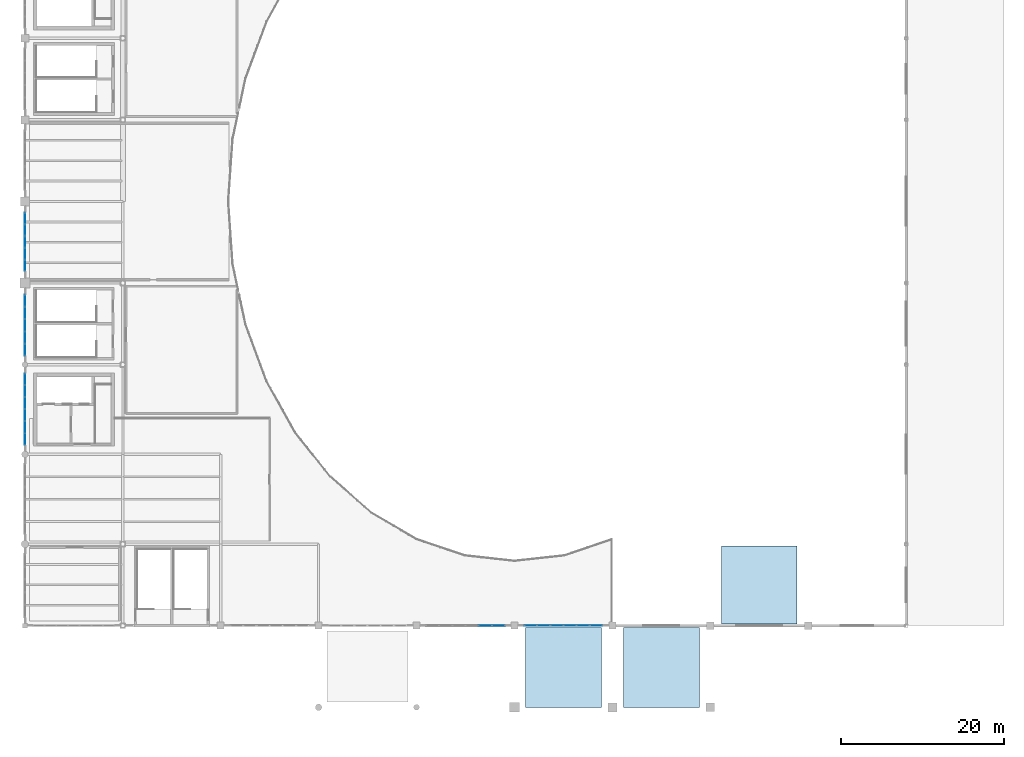
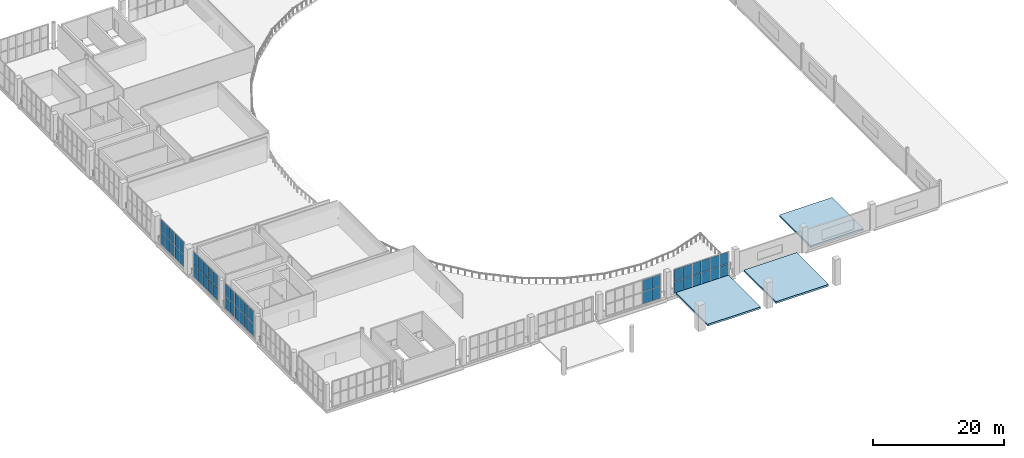
# One storey, part 31 of 49: 48 plates, 3 slabs, 5 elements without a shape of their own.
"""IFC4 building model written with IfcOpenShell, lengths in metres."""

from ifc_helpers import new_model, si_unit, direction, frame, origin, origin_2d, place, context, subcontext, project, spatial, polyline, rectangle, outline, extrude, material, layer, layer_set, type_object, element, aggregate, save


model = new_model("IFC4")

# Units and contexts
model_context = context("Model", 3, precision=1e-05, world=origin(), true_north=direction((0.0, 1.0)))
body_context = subcontext(model_context, "Body", "Model", "MODEL_VIEW")
ifc_project = project(units=[si_unit("LENGTHUNIT", "METRE"), si_unit("AREAUNIT", "SQUARE_METRE"), si_unit("VOLUMEUNIT", "CUBIC_METRE"), si_unit("PLANEANGLEUNIT", "RADIAN"), si_unit("MASSUNIT", "GRAM", prefix="KILO")], contexts=[model_context])

# Site, building, storey
site_placement = place(None, origin())
site = spatial("IfcSite", under=ifc_project, at=site_placement, CompositionType="ELEMENT")
building_placement = place(site_placement, origin())
building = spatial("IfcBuilding", under=site, at=building_placement, Name="Brinegate Civic Arena", CompositionType="ELEMENT")
storey_placement = place(building_placement, frame((0.0, 0.0, 24.60009765625)))
storey = spatial("IfcBuildingStorey", under=building, at=storey_placement, Name="L05", CompositionType="ELEMENT", Elevation=24.60009765625)

# Curtain wall, plates
ifc_material_1 = material(Name="Marine grade aluminium", Category="aluminium")
ifc_layer_1 = layer(ifc_material_1, 0.199951171875, Name="Marine grade aluminium")
ifc_layer_set_1 = layer_set([ifc_layer_1], Name="Marine grade aluminium")
curtain_wall_type = type_object("IfcCurtainWallType", Name="CW-BOWL-GLAZED-01", PredefinedType="USERDEFINED", material=ifc_layer_set_1)
curtain_wall_1_placement = place(storey_placement, origin())
curtain_wall_1 = element("IfcCurtainWall", 1, at=curtain_wall_1_placement, inside=storey, type_object=curtain_wall_type, Name="Curtain Wall CWA-156", ObjectType="GLAZED CURTAIN WALL", PredefinedType="USERDEFINED")
ifc_material_2 = material(Name="Hurricane laminated low-E glass", Category="glass")
ifc_layer_2 = layer(ifc_material_2, 0.028076171875, Name="Hurricane laminated low-E glass")
ifc_layer_set_2 = layer_set([ifc_layer_2], Name="Hurricane laminated low-E glass")
plate_type_1 = type_object("IfcPlateType", Name="CW-PANEL-GLAZED-28", PredefinedType="CURTAIN_PANEL", material=ifc_layer_set_2)
plate_1_placement = place(storey_placement, frame((48.0, 32.868896484375, 0.06494140625), z_axis=(0.0, 0.0, 1.0), x_axis=(0.0, 1.0, 0.0)))
plate_1 = element("IfcPlate", 2, at=plate_1_placement, type_object=plate_type_1, Name="CWA-156 panel 1.1", PredefinedType="CURTAIN_PANEL", context=body_context, shape_type="SweptSolid", body=[
    extrude(rectangle(XDim=1.375732421875, YDim=0.028076171875, at=origin_2d()), origin(), (0.0, 0.0, 1.0), 2.302490234375),
])
plate_2_placement = place(storey_placement, frame((48.0, 32.868896484375, 2.4326171875), z_axis=(0.0, 0.0, 1.0), x_axis=(0.0, 1.0, 0.0)))
plate_2 = element("IfcPlate", 3, at=plate_2_placement, type_object=plate_type_1, Name="CWA-156 panel 1.2", PredefinedType="CURTAIN_PANEL", context=body_context, shape_type="SweptSolid", body=[
    extrude(rectangle(XDim=1.375732421875, YDim=0.028076171875, at=origin_2d()), origin(), (0.0, 0.0, 1.0), 2.302490234375),
])
plate_3_placement = place(storey_placement, frame((48.0, 34.32568359375, 0.06494140625), z_axis=(0.0, 0.0, 1.0), x_axis=(0.0, 1.0, 0.0)))
plate_3 = element("IfcPlate", 4, at=plate_3_placement, type_object=plate_type_1, Name="CWA-156 panel 2.1", PredefinedType="CURTAIN_PANEL", context=body_context, shape_type="SweptSolid", body=[
    extrude(rectangle(XDim=1.408203125, YDim=0.028076171875, at=origin_2d()), origin(), (0.0, 0.0, 1.0), 2.302490234375),
])
plate_4_placement = place(storey_placement, frame((48.0, 34.32568359375, 2.4326171875), z_axis=(0.0, 0.0, 1.0), x_axis=(0.0, 1.0, 0.0)))
plate_4 = element("IfcPlate", 5, at=plate_4_placement, type_object=plate_type_1, Name="CWA-156 panel 2.2", PredefinedType="CURTAIN_PANEL", context=body_context, shape_type="SweptSolid", body=[
    extrude(rectangle(XDim=1.408203125, YDim=0.028076171875, at=origin_2d()), origin(), (0.0, 0.0, 1.0), 2.302490234375),
])
plate_5_placement = place(storey_placement, frame((48.0, 35.798828125, 0.06494140625), z_axis=(0.0, 0.0, 1.0), x_axis=(0.0, 1.0, 0.0)))
plate_5 = element("IfcPlate", 6, at=plate_5_placement, type_object=plate_type_1, Name="CWA-156 panel 3.1", PredefinedType="CURTAIN_PANEL", context=body_context, shape_type="SweptSolid", body=[
    extrude(rectangle(XDim=1.408203125, YDim=0.028076171875, at=origin_2d()), origin(), (0.0, 0.0, 1.0), 2.302490234375),
])
plate_6_placement = place(storey_placement, frame((48.0, 35.798828125, 2.4326171875), z_axis=(0.0, 0.0, 1.0), x_axis=(0.0, 1.0, 0.0)))
plate_6 = element("IfcPlate", 7, at=plate_6_placement, type_object=plate_type_1, Name="CWA-156 panel 3.2", PredefinedType="CURTAIN_PANEL", context=body_context, shape_type="SweptSolid", body=[
    extrude(rectangle(XDim=1.408203125, YDim=0.028076171875, at=origin_2d()), origin(), (0.0, 0.0, 1.0), 2.302490234375),
])
plate_7_placement = place(storey_placement, frame((48.0, 37.27197265625, 0.06494140625), z_axis=(0.0, 0.0, 1.0), x_axis=(0.0, 1.0, 0.0)))
plate_7 = element("IfcPlate", 8, at=plate_7_placement, type_object=plate_type_1, Name="CWA-156 panel 4.1", PredefinedType="CURTAIN_PANEL", context=body_context, shape_type="SweptSolid", body=[
    extrude(rectangle(XDim=1.408203125, YDim=0.028076171875, at=origin_2d()), origin(), (0.0, 0.0, 1.0), 2.302490234375),
])
plate_8_placement = place(storey_placement, frame((48.0, 37.27197265625, 2.4326171875), z_axis=(0.0, 0.0, 1.0), x_axis=(0.0, 1.0, 0.0)))
plate_8 = element("IfcPlate", 9, at=plate_8_placement, type_object=plate_type_1, Name="CWA-156 panel 4.2", PredefinedType="CURTAIN_PANEL", context=body_context, shape_type="SweptSolid", body=[
    extrude(rectangle(XDim=1.408203125, YDim=0.028076171875, at=origin_2d()), origin(), (0.0, 0.0, 1.0), 2.302490234375),
])
plate_9_placement = place(storey_placement, frame((48.0, 38.745361328125, 0.06494140625), z_axis=(0.0, 0.0, 1.0), x_axis=(0.0, 1.0, 0.0)))
plate_9 = element("IfcPlate", 10, at=plate_9_placement, type_object=plate_type_1, Name="CWA-156 panel 5.1", PredefinedType="CURTAIN_PANEL", context=body_context, shape_type="SweptSolid", body=[
    extrude(rectangle(XDim=1.408203125, YDim=0.028076171875, at=origin_2d()), origin(), (0.0, 0.0, 1.0), 2.302490234375),
])
plate_10_placement = place(storey_placement, frame((48.0, 38.745361328125, 2.4326171875), z_axis=(0.0, 0.0, 1.0), x_axis=(0.0, 1.0, 0.0)))
plate_10 = element("IfcPlate", 11, at=plate_10_placement, type_object=plate_type_1, Name="CWA-156 panel 5.2", PredefinedType="CURTAIN_PANEL", context=body_context, shape_type="SweptSolid", body=[
    extrude(rectangle(XDim=1.408203125, YDim=0.028076171875, at=origin_2d()), origin(), (0.0, 0.0, 1.0), 2.302490234375),
])
plate_11_placement = place(storey_placement, frame((48.0, 40.2021484375, 0.06494140625), z_axis=(0.0, 0.0, 1.0), x_axis=(0.0, 1.0, 0.0)))
plate_11 = element("IfcPlate", 12, at=plate_11_placement, type_object=plate_type_1, Name="CWA-156 panel 6.1", PredefinedType="CURTAIN_PANEL", context=body_context, shape_type="SweptSolid", body=[
    extrude(rectangle(XDim=1.375732421875, YDim=0.028076171875, at=origin_2d()), origin(), (0.0, 0.0, 1.0), 2.302490234375),
])
plate_12_placement = place(storey_placement, frame((48.0, 40.2021484375, 2.4326171875), z_axis=(0.0, 0.0, 1.0), x_axis=(0.0, 1.0, 0.0)))
plate_12 = element("IfcPlate", 13, at=plate_12_placement, type_object=plate_type_1, Name="CWA-156 panel 6.2", PredefinedType="CURTAIN_PANEL", context=body_context, shape_type="SweptSolid", body=[
    extrude(rectangle(XDim=1.375732421875, YDim=0.028076171875, at=origin_2d()), origin(), (0.0, 0.0, 1.0), 2.302490234375),
])
aggregate(curtain_wall_1, [plate_1, plate_2, plate_3, plate_4, plate_5, plate_6, plate_7, plate_8, plate_9, plate_10, plate_11, plate_12])

curtain_wall_2_placement = place(storey_placement, origin())
curtain_wall_2 = element("IfcCurtainWall", 14, at=curtain_wall_2_placement, inside=storey, type_object=curtain_wall_type, Name="Curtain Wall CWA-167", ObjectType="GLAZED CURTAIN WALL", PredefinedType="USERDEFINED")
plate_13_placement = place(storey_placement, frame((104.424560546875, 10.0, 0.06494140625), z_axis=(0.0, 0.0, 1.0), x_axis=(1.0, 0.0, 0.0)))
plate_13 = element("IfcPlate", 15, at=plate_13_placement, type_object=plate_type_1, Name="CWA-167 panel 5.1", PredefinedType="CURTAIN_PANEL", context=body_context, shape_type="SweptSolid", body=[
    extrude(rectangle(XDim=1.55126953125, YDim=0.028076171875, at=origin_2d()), origin(), (0.0, 0.0, 1.0), 2.1923828125),
])
plate_14_placement = place(storey_placement, frame((104.424560546875, 10.0, 2.322509765625), z_axis=(0.0, 0.0, 1.0), x_axis=(1.0, 0.0, 0.0)))
plate_14 = element("IfcPlate", 16, at=plate_14_placement, type_object=plate_type_1, Name="CWA-167 panel 5.2", PredefinedType="CURTAIN_PANEL", context=body_context, shape_type="SweptSolid", body=[
    extrude(rectangle(XDim=1.55126953125, YDim=0.028076171875, at=origin_2d()), origin(), (0.0, 0.0, 1.0), 2.1923828125),
])
plate_15_placement = place(storey_placement, frame((106.024658203125, 10.0, 0.06494140625), z_axis=(0.0, 0.0, 1.0), x_axis=(1.0, 0.0, 0.0)))
plate_15 = element("IfcPlate", 17, at=plate_15_placement, type_object=plate_type_1, Name="CWA-167 panel 6.1", PredefinedType="CURTAIN_PANEL", context=body_context, shape_type="SweptSolid", body=[
    extrude(rectangle(XDim=1.518798828125, YDim=0.028076171875, at=origin_2d()), origin(), (0.0, 0.0, 1.0), 2.1923828125),
])
plate_16_placement = place(storey_placement, frame((106.024658203125, 10.0, 2.322509765625), z_axis=(0.0, 0.0, 1.0), x_axis=(1.0, 0.0, 0.0)))
plate_16 = element("IfcPlate", 18, at=plate_16_placement, type_object=plate_type_1, Name="CWA-167 panel 6.2", PredefinedType="CURTAIN_PANEL", context=body_context, shape_type="SweptSolid", body=[
    extrude(rectangle(XDim=1.518798828125, YDim=0.028076171875, at=origin_2d()), origin(), (0.0, 0.0, 1.0), 2.1923828125),
])
aggregate(curtain_wall_2, [plate_13, plate_14, plate_15, plate_16])

curtain_wall_3_placement = place(storey_placement, origin())
curtain_wall_3 = element("IfcCurtainWall", 19, at=curtain_wall_3_placement, inside=storey, type_object=curtain_wall_type, Name="Curtain Wall CWA-157", ObjectType="GLAZED CURTAIN WALL", PredefinedType="USERDEFINED")
ifc_layer_3 = layer(ifc_material_2, 0.031982421875, Name="Hurricane laminated low-E glass")
ifc_layer_set_3 = layer_set([ifc_layer_3], Name="Hurricane laminated low-E glass")
plate_type_2 = type_object("IfcPlateType", Name="CW-PANEL-GLAZED-32", PredefinedType="CURTAIN_PANEL", material=ifc_layer_set_3)
plate_17_placement = place(storey_placement, frame((48.0, 43.81689453125, 0.06494140625), z_axis=(0.0, 0.0, 1.0), x_axis=(0.0, 1.0, 0.0)))
plate_17 = element("IfcPlate", 20, at=plate_17_placement, type_object=plate_type_2, Name="CWA-157 panel 1.1", PredefinedType="CURTAIN_PANEL", context=body_context, shape_type="SweptSolid", body=[
    extrude(rectangle(XDim=1.413818359375, YDim=0.031982421875, at=origin_2d()), origin(), (0.0, 0.0, 1.0), 2.302490234375),
])
plate_18_placement = place(storey_placement, frame((48.0, 43.81689453125, 2.4326171875), z_axis=(0.0, 0.0, 1.0), x_axis=(0.0, 1.0, 0.0)))
plate_18 = element("IfcPlate", 21, at=plate_18_placement, type_object=plate_type_2, Name="CWA-157 panel 1.2", PredefinedType="CURTAIN_PANEL", context=body_context, shape_type="SweptSolid", body=[
    extrude(rectangle(XDim=1.413818359375, YDim=0.031982421875, at=origin_2d()), origin(), (0.0, 0.0, 1.0), 2.302490234375),
])
plate_19_placement = place(storey_placement, frame((48.0, 45.311767578125, 0.06494140625), z_axis=(0.0, 0.0, 1.0), x_axis=(0.0, 1.0, 0.0)))
plate_19 = element("IfcPlate", 22, at=plate_19_placement, type_object=plate_type_2, Name="CWA-157 panel 2.1", PredefinedType="CURTAIN_PANEL", context=body_context, shape_type="SweptSolid", body=[
    extrude(rectangle(XDim=1.4462890625, YDim=0.031982421875, at=origin_2d()), origin(), (0.0, 0.0, 1.0), 2.302490234375),
])
plate_20_placement = place(storey_placement, frame((48.0, 45.311767578125, 2.4326171875), z_axis=(0.0, 0.0, 1.0), x_axis=(0.0, 1.0, 0.0)))
plate_20 = element("IfcPlate", 23, at=plate_20_placement, type_object=plate_type_2, Name="CWA-157 panel 2.2", PredefinedType="CURTAIN_PANEL", context=body_context, shape_type="SweptSolid", body=[
    extrude(rectangle(XDim=1.4462890625, YDim=0.031982421875, at=origin_2d()), origin(), (0.0, 0.0, 1.0), 2.302490234375),
])
plate_21_placement = place(storey_placement, frame((48.0, 46.822998046875, 0.06494140625), z_axis=(0.0, 0.0, 1.0), x_axis=(0.0, 1.0, 0.0)))
plate_21 = element("IfcPlate", 24, at=plate_21_placement, type_object=plate_type_2, Name="CWA-157 panel 3.1", PredefinedType="CURTAIN_PANEL", context=body_context, shape_type="SweptSolid", body=[
    extrude(rectangle(XDim=1.4462890625, YDim=0.031982421875, at=origin_2d()), origin(), (0.0, 0.0, 1.0), 2.302490234375),
])
plate_22_placement = place(storey_placement, frame((48.0, 46.822998046875, 2.4326171875), z_axis=(0.0, 0.0, 1.0), x_axis=(0.0, 1.0, 0.0)))
plate_22 = element("IfcPlate", 25, at=plate_22_placement, type_object=plate_type_2, Name="CWA-157 panel 3.2", PredefinedType="CURTAIN_PANEL", context=body_context, shape_type="SweptSolid", body=[
    extrude(rectangle(XDim=1.4462890625, YDim=0.031982421875, at=origin_2d()), origin(), (0.0, 0.0, 1.0), 2.302490234375),
])
plate_23_placement = place(storey_placement, frame((48.0, 48.334228515625, 0.06494140625), z_axis=(0.0, 0.0, 1.0), x_axis=(0.0, 1.0, 0.0)))
plate_23 = element("IfcPlate", 26, at=plate_23_placement, type_object=plate_type_2, Name="CWA-157 panel 4.1", PredefinedType="CURTAIN_PANEL", context=body_context, shape_type="SweptSolid", body=[
    extrude(rectangle(XDim=1.4462890625, YDim=0.031982421875, at=origin_2d()), origin(), (0.0, 0.0, 1.0), 2.302490234375),
])
plate_24_placement = place(storey_placement, frame((48.0, 48.334228515625, 2.4326171875), z_axis=(0.0, 0.0, 1.0), x_axis=(0.0, 1.0, 0.0)))
plate_24 = element("IfcPlate", 27, at=plate_24_placement, type_object=plate_type_2, Name="CWA-157 panel 4.2", PredefinedType="CURTAIN_PANEL", context=body_context, shape_type="SweptSolid", body=[
    extrude(rectangle(XDim=1.4462890625, YDim=0.031982421875, at=origin_2d()), origin(), (0.0, 0.0, 1.0), 2.302490234375),
])
plate_25_placement = place(storey_placement, frame((48.0, 49.8291015625, 0.06494140625), z_axis=(0.0, 0.0, 1.0), x_axis=(0.0, 1.0, 0.0)))
plate_25 = element("IfcPlate", 28, at=plate_25_placement, type_object=plate_type_2, Name="CWA-157 panel 5.1", PredefinedType="CURTAIN_PANEL", context=body_context, shape_type="SweptSolid", body=[
    extrude(rectangle(XDim=1.413818359375, YDim=0.031982421875, at=origin_2d()), origin(), (0.0, 0.0, 1.0), 2.302490234375),
])
plate_26_placement = place(storey_placement, frame((48.0, 49.8291015625, 2.4326171875), z_axis=(0.0, 0.0, 1.0), x_axis=(0.0, 1.0, 0.0)))
plate_26 = element("IfcPlate", 29, at=plate_26_placement, type_object=plate_type_2, Name="CWA-157 panel 5.2", PredefinedType="CURTAIN_PANEL", context=body_context, shape_type="SweptSolid", body=[
    extrude(rectangle(XDim=1.413818359375, YDim=0.031982421875, at=origin_2d()), origin(), (0.0, 0.0, 1.0), 2.302490234375),
])
aggregate(curtain_wall_3, [plate_17, plate_18, plate_19, plate_20, plate_21, plate_22, plate_23, plate_24, plate_25, plate_26])

curtain_wall_4_placement = place(storey_placement, origin())
curtain_wall_4 = element("IfcCurtainWall", 30, at=curtain_wall_4_placement, inside=storey, type_object=curtain_wall_type, Name="Curtain Wall CWA-168", ObjectType="GLAZED CURTAIN WALL", PredefinedType="USERDEFINED")
plate_27_placement = place(storey_placement, frame((109.975341796875, 10.0, 0.06494140625), z_axis=(0.0, 0.0, 1.0), x_axis=(1.0, 0.0, 0.0)))
plate_27 = element("IfcPlate", 31, at=plate_27_placement, type_object=plate_type_2, Name="CWA-168 panel 1.1", PredefinedType="CURTAIN_PANEL", context=body_context, shape_type="SweptSolid", body=[
    extrude(rectangle(XDim=1.518798828125, YDim=0.031982421875, at=origin_2d()), origin(), (0.0, 0.0, 1.0), 2.1923828125),
])
plate_28_placement = place(storey_placement, frame((109.975341796875, 10.0, 2.322509765625), z_axis=(0.0, 0.0, 1.0), x_axis=(1.0, 0.0, 0.0)))
plate_28 = element("IfcPlate", 32, at=plate_28_placement, type_object=plate_type_2, Name="CWA-168 panel 1.2", PredefinedType="CURTAIN_PANEL", context=body_context, shape_type="SweptSolid", body=[
    extrude(rectangle(XDim=1.518798828125, YDim=0.031982421875, at=origin_2d()), origin(), (0.0, 0.0, 1.0), 2.1923828125),
])
plate_29_placement = place(storey_placement, frame((111.575439453125, 10.0, 0.06494140625), z_axis=(0.0, 0.0, 1.0), x_axis=(1.0, 0.0, 0.0)))
plate_29 = element("IfcPlate", 33, at=plate_29_placement, type_object=plate_type_2, Name="CWA-168 panel 2.1", PredefinedType="CURTAIN_PANEL", context=body_context, shape_type="SweptSolid", body=[
    extrude(rectangle(XDim=1.55126953125, YDim=0.031982421875, at=origin_2d()), origin(), (0.0, 0.0, 1.0), 2.1923828125),
])
plate_30_placement = place(storey_placement, frame((111.575439453125, 10.0, 2.322509765625), z_axis=(0.0, 0.0, 1.0), x_axis=(1.0, 0.0, 0.0)))
plate_30 = element("IfcPlate", 34, at=plate_30_placement, type_object=plate_type_2, Name="CWA-168 panel 2.2", PredefinedType="CURTAIN_PANEL", context=body_context, shape_type="SweptSolid", body=[
    extrude(rectangle(XDim=1.55126953125, YDim=0.031982421875, at=origin_2d()), origin(), (0.0, 0.0, 1.0), 2.1923828125),
])
plate_31_placement = place(storey_placement, frame((113.19189453125, 10.0, 0.06494140625), z_axis=(0.0, 0.0, 1.0), x_axis=(1.0, 0.0, 0.0)))
plate_31 = element("IfcPlate", 35, at=plate_31_placement, type_object=plate_type_2, Name="CWA-168 panel 3.1", PredefinedType="CURTAIN_PANEL", context=body_context, shape_type="SweptSolid", body=[
    extrude(rectangle(XDim=1.55126953125, YDim=0.031982421875, at=origin_2d()), origin(), (0.0, 0.0, 1.0), 2.1923828125),
])
plate_32_placement = place(storey_placement, frame((113.19189453125, 10.0, 2.322509765625), z_axis=(0.0, 0.0, 1.0), x_axis=(1.0, 0.0, 0.0)))
plate_32 = element("IfcPlate", 36, at=plate_32_placement, type_object=plate_type_2, Name="CWA-168 panel 3.2", PredefinedType="CURTAIN_PANEL", context=body_context, shape_type="SweptSolid", body=[
    extrude(rectangle(XDim=1.55126953125, YDim=0.031982421875, at=origin_2d()), origin(), (0.0, 0.0, 1.0), 2.1923828125),
])
plate_33_placement = place(storey_placement, frame((114.80810546875, 10.0, 0.06494140625), z_axis=(0.0, 0.0, 1.0), x_axis=(1.0, 0.0, 0.0)))
plate_33 = element("IfcPlate", 37, at=plate_33_placement, type_object=plate_type_2, Name="CWA-168 panel 4.1", PredefinedType="CURTAIN_PANEL", context=body_context, shape_type="SweptSolid", body=[
    extrude(rectangle(XDim=1.55126953125, YDim=0.031982421875, at=origin_2d()), origin(), (0.0, 0.0, 1.0), 2.1923828125),
])
plate_34_placement = place(storey_placement, frame((114.80810546875, 10.0, 2.322509765625), z_axis=(0.0, 0.0, 1.0), x_axis=(1.0, 0.0, 0.0)))
plate_34 = element("IfcPlate", 38, at=plate_34_placement, type_object=plate_type_2, Name="CWA-168 panel 4.2", PredefinedType="CURTAIN_PANEL", context=body_context, shape_type="SweptSolid", body=[
    extrude(rectangle(XDim=1.55126953125, YDim=0.031982421875, at=origin_2d()), origin(), (0.0, 0.0, 1.0), 2.1923828125),
])
plate_35_placement = place(storey_placement, frame((116.424560546875, 10.0, 0.06494140625), z_axis=(0.0, 0.0, 1.0), x_axis=(1.0, 0.0, 0.0)))
plate_35 = element("IfcPlate", 39, at=plate_35_placement, type_object=plate_type_2, Name="CWA-168 panel 5.1", PredefinedType="CURTAIN_PANEL", context=body_context, shape_type="SweptSolid", body=[
    extrude(rectangle(XDim=1.55126953125, YDim=0.031982421875, at=origin_2d()), origin(), (0.0, 0.0, 1.0), 2.1923828125),
])
plate_36_placement = place(storey_placement, frame((116.424560546875, 10.0, 2.322509765625), z_axis=(0.0, 0.0, 1.0), x_axis=(1.0, 0.0, 0.0)))
plate_36 = element("IfcPlate", 40, at=plate_36_placement, type_object=plate_type_2, Name="CWA-168 panel 5.2", PredefinedType="CURTAIN_PANEL", context=body_context, shape_type="SweptSolid", body=[
    extrude(rectangle(XDim=1.55126953125, YDim=0.031982421875, at=origin_2d()), origin(), (0.0, 0.0, 1.0), 2.1923828125),
])
plate_37_placement = place(storey_placement, frame((118.024658203125, 10.0, 0.06494140625), z_axis=(0.0, 0.0, 1.0), x_axis=(1.0, 0.0, 0.0)))
plate_37 = element("IfcPlate", 41, at=plate_37_placement, type_object=plate_type_2, Name="CWA-168 panel 6.1", PredefinedType="CURTAIN_PANEL", context=body_context, shape_type="SweptSolid", body=[
    extrude(rectangle(XDim=1.518798828125, YDim=0.031982421875, at=origin_2d()), origin(), (0.0, 0.0, 1.0), 2.1923828125),
])
plate_38_placement = place(storey_placement, frame((118.024658203125, 10.0, 2.322509765625), z_axis=(0.0, 0.0, 1.0), x_axis=(1.0, 0.0, 0.0)))
plate_38 = element("IfcPlate", 42, at=plate_38_placement, type_object=plate_type_2, Name="CWA-168 panel 6.2", PredefinedType="CURTAIN_PANEL", context=body_context, shape_type="SweptSolid", body=[
    extrude(rectangle(XDim=1.518798828125, YDim=0.031982421875, at=origin_2d()), origin(), (0.0, 0.0, 1.0), 2.1923828125),
])
aggregate(curtain_wall_4, [plate_27, plate_28, plate_29, plate_30, plate_31, plate_32, plate_33, plate_34, plate_35, plate_36, plate_37, plate_38])

curtain_wall_5_placement = place(storey_placement, origin())
curtain_wall_5 = element("IfcCurtainWall", 43, at=curtain_wall_5_placement, inside=storey, type_object=curtain_wall_type, Name="Curtain Wall CWA-158", ObjectType="GLAZED CURTAIN WALL", PredefinedType="USERDEFINED")
ifc_layer_4 = layer(ifc_material_2, 0.035888671875, Name="Hurricane laminated low-E glass")
ifc_layer_set_4 = layer_set([ifc_layer_4], Name="Hurricane laminated low-E glass")
plate_type_3 = type_object("IfcPlateType", Name="CW-PANEL-GLAZED-36", PredefinedType="CURTAIN_PANEL", material=ifc_layer_set_4)
plate_39_placement = place(storey_placement, frame((48.0, 54.14501953125, 0.074951171875), z_axis=(0.0, 0.0, 1.0), x_axis=(0.0, 1.0, 0.0)))
plate_39 = element("IfcPlate", 44, at=plate_39_placement, type_object=plate_type_3, Name="CWA-158 panel 1.1", PredefinedType="CURTAIN_PANEL", context=body_context, shape_type="SweptSolid", body=[
    extrude(rectangle(XDim=1.342041015625, YDim=0.035888671875, at=origin_2d()), origin(), (0.0, 0.0, 1.0), 2.28759765625),
])
plate_40_placement = place(storey_placement, frame((48.0, 54.14501953125, 2.437255859375), z_axis=(0.0, 0.0, 1.0), x_axis=(0.0, 1.0, 0.0)))
plate_40 = element("IfcPlate", 45, at=plate_40_placement, type_object=plate_type_3, Name="CWA-158 panel 1.2", PredefinedType="CURTAIN_PANEL", context=body_context, shape_type="SweptSolid", body=[
    extrude(rectangle(XDim=1.342041015625, YDim=0.035888671875, at=origin_2d()), origin(), (0.0, 0.0, 1.0), 2.28759765625),
])
plate_41_placement = place(storey_placement, frame((48.0, 55.580810546875, 0.074951171875), z_axis=(0.0, 0.0, 1.0), x_axis=(0.0, 1.0, 0.0)))
plate_41 = element("IfcPlate", 46, at=plate_41_placement, type_object=plate_type_3, Name="CWA-158 panel 2.1", PredefinedType="CURTAIN_PANEL", context=body_context, shape_type="SweptSolid", body=[
    extrude(rectangle(XDim=1.379638671875, YDim=0.035888671875, at=origin_2d()), origin(), (0.0, 0.0, 1.0), 2.28759765625),
])
plate_42_placement = place(storey_placement, frame((48.0, 55.580810546875, 2.437255859375), z_axis=(0.0, 0.0, 1.0), x_axis=(0.0, 1.0, 0.0)))
plate_42 = element("IfcPlate", 47, at=plate_42_placement, type_object=plate_type_3, Name="CWA-158 panel 2.2", PredefinedType="CURTAIN_PANEL", context=body_context, shape_type="SweptSolid", body=[
    extrude(rectangle(XDim=1.379638671875, YDim=0.035888671875, at=origin_2d()), origin(), (0.0, 0.0, 1.0), 2.28759765625),
])
plate_43_placement = place(storey_placement, frame((48.0, 57.035400390625, 0.074951171875), z_axis=(0.0, 0.0, 1.0), x_axis=(0.0, 1.0, 0.0)))
plate_43 = element("IfcPlate", 48, at=plate_43_placement, type_object=plate_type_3, Name="CWA-158 panel 3.1", PredefinedType="CURTAIN_PANEL", context=body_context, shape_type="SweptSolid", body=[
    extrude(rectangle(XDim=1.379638671875, YDim=0.035888671875, at=origin_2d()), origin(), (0.0, 0.0, 1.0), 2.28759765625),
])
plate_44_placement = place(storey_placement, frame((48.0, 57.035400390625, 2.437255859375), z_axis=(0.0, 0.0, 1.0), x_axis=(0.0, 1.0, 0.0)))
plate_44 = element("IfcPlate", 49, at=plate_44_placement, type_object=plate_type_3, Name="CWA-158 panel 3.2", PredefinedType="CURTAIN_PANEL", context=body_context, shape_type="SweptSolid", body=[
    extrude(rectangle(XDim=1.379638671875, YDim=0.035888671875, at=origin_2d()), origin(), (0.0, 0.0, 1.0), 2.28759765625),
])
plate_45_placement = place(storey_placement, frame((48.0, 58.489990234375, 0.074951171875), z_axis=(0.0, 0.0, 1.0), x_axis=(0.0, 1.0, 0.0)))
plate_45 = element("IfcPlate", 50, at=plate_45_placement, type_object=plate_type_3, Name="CWA-158 panel 4.1", PredefinedType="CURTAIN_PANEL", context=body_context, shape_type="SweptSolid", body=[
    extrude(rectangle(XDim=1.379638671875, YDim=0.035888671875, at=origin_2d()), origin(), (0.0, 0.0, 1.0), 2.28759765625),
])
plate_46_placement = place(storey_placement, frame((48.0, 58.489990234375, 2.437255859375), z_axis=(0.0, 0.0, 1.0), x_axis=(0.0, 1.0, 0.0)))
plate_46 = element("IfcPlate", 51, at=plate_46_placement, type_object=plate_type_3, Name="CWA-158 panel 4.2", PredefinedType="CURTAIN_PANEL", context=body_context, shape_type="SweptSolid", body=[
    extrude(rectangle(XDim=1.379638671875, YDim=0.035888671875, at=origin_2d()), origin(), (0.0, 0.0, 1.0), 2.28759765625),
])
plate_47_placement = place(storey_placement, frame((48.0, 59.926025390625, 0.074951171875), z_axis=(0.0, 0.0, 1.0), x_axis=(0.0, 1.0, 0.0)))
plate_47 = element("IfcPlate", 52, at=plate_47_placement, type_object=plate_type_3, Name="CWA-158 panel 5.1", PredefinedType="CURTAIN_PANEL", context=body_context, shape_type="SweptSolid", body=[
    extrude(rectangle(XDim=1.342041015625, YDim=0.035888671875, at=origin_2d()), origin(), (0.0, 0.0, 1.0), 2.28759765625),
])
plate_48_placement = place(storey_placement, frame((48.0, 59.926025390625, 2.437255859375), z_axis=(0.0, 0.0, 1.0), x_axis=(0.0, 1.0, 0.0)))
plate_48 = element("IfcPlate", 53, at=plate_48_placement, type_object=plate_type_3, Name="CWA-158 panel 5.2", PredefinedType="CURTAIN_PANEL", context=body_context, shape_type="SweptSolid", body=[
    extrude(rectangle(XDim=1.342041015625, YDim=0.035888671875, at=origin_2d()), origin(), (0.0, 0.0, 1.0), 2.28759765625),
])
aggregate(curtain_wall_5, [plate_39, plate_40, plate_41, plate_42, plate_43, plate_44, plate_45, plate_46, plate_47, plate_48])

# Slabs
ifc_material_3 = material(Name="Concrete C40/50", Category="concrete")
ifc_layer_5 = layer(ifc_material_3, 0.340087890625, Name="Concrete C40/50")
ifc_layer_set_5 = layer_set([ifc_layer_5], Name="Concrete C40/50")
slab_type = type_object("IfcSlabType", Name="SLAB-ROOF-PORTAL-340", PredefinedType="ROOF", material=ifc_layer_set_5)
slab_1_placement = place(storey_placement, origin())
element("IfcSlab", 54, at=slab_1_placement, inside=storey, type_object=slab_type, Name="Core and Stair Headhouse Roof Cap ST04", PredefinedType="ROOF", context=body_context, shape_type="SweptSolid", body=[
    extrude(outline(polyline([(121.35009765625, 0.0), (130.64990234375, 0.0), (130.64990234375, 9.75), (121.35009765625, 9.75), (121.35009765625, 0.0)])), origin(), (0.0, 0.0, 1.0), 0.33984375),
])
slab_2_placement = place(storey_placement, origin())
element("IfcSlab", 55, at=slab_2_placement, inside=storey, type_object=slab_type, Name="Core and Stair Headhouse Roof Cap ST16", PredefinedType="ROOF", context=body_context, shape_type="SweptSolid", body=[
    extrude(outline(polyline([(109.35009765625, 0.0), (118.64990234375, 0.0), (118.64990234375, 9.75), (109.35009765625, 9.75), (109.35009765625, 0.0)])), origin(), (0.0, 0.0, 1.0), 0.33984375),
])
slab_3_placement = place(storey_placement, origin())
element("IfcSlab", 56, at=slab_3_placement, inside=storey, type_object=slab_type, Name="Core and Stair Headhouse Roof Cap ST14", PredefinedType="ROOF", context=body_context, shape_type="SweptSolid", body=[
    extrude(outline(polyline([(133.35009765625, 10.199951171875), (142.64990234375, 10.199951171875), (142.64990234375, 19.75), (133.35009765625, 19.75), (133.35009765625, 10.199951171875)])), origin(), (0.0, 0.0, 1.0), 0.33984375),
])

save(model, "model.ifc")
